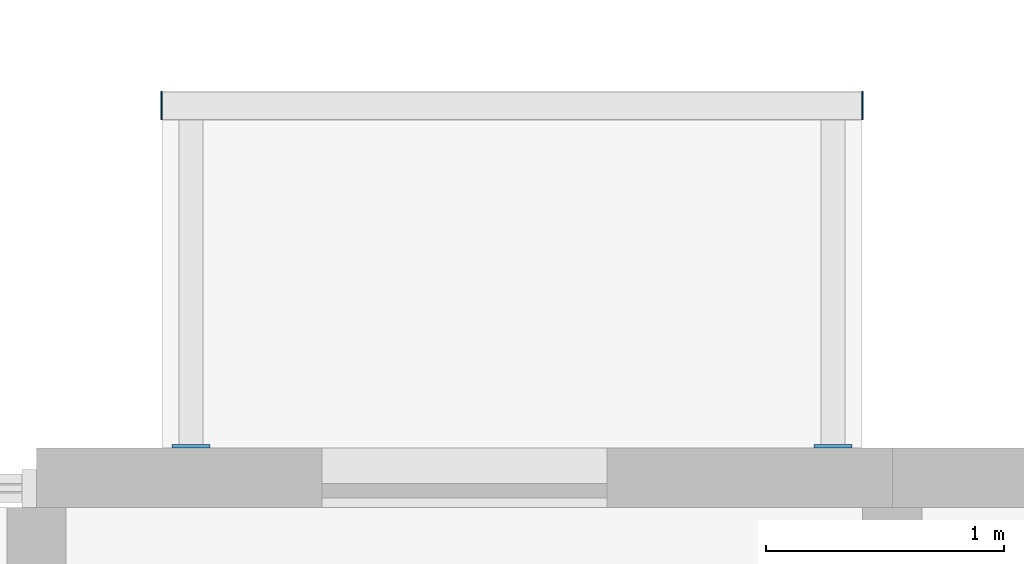
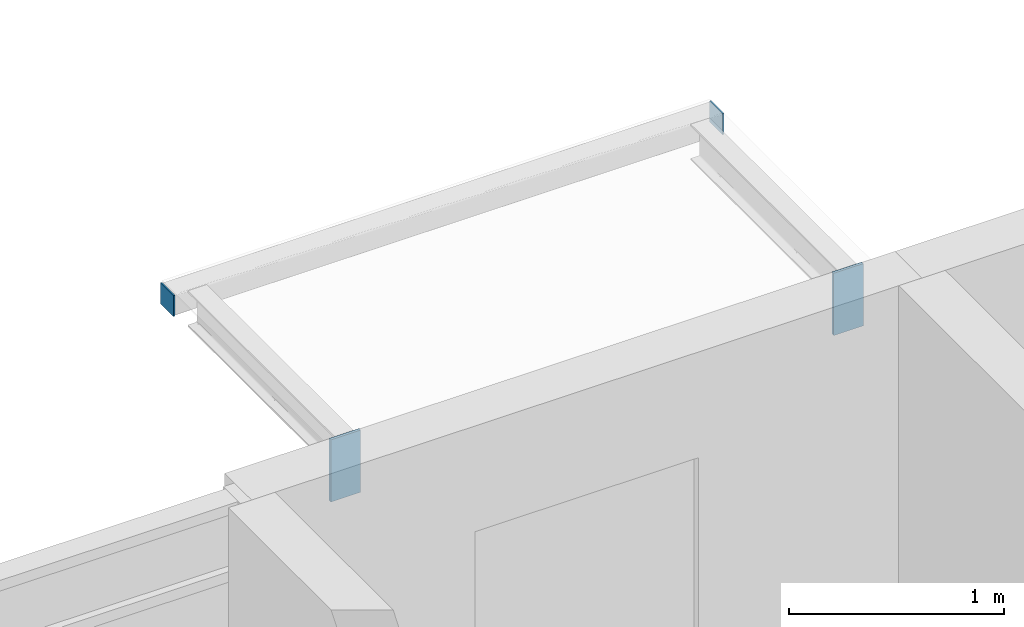
# One storey, part 66 of 100: 4 discrete accessories.
"""IFC4 building model written with IfcOpenShell, lengths in metres."""

from ifc_helpers import new_model, si_unit, direction, frame, origin, origin_2d, place, context, subcontext, project, spatial, rectangle, extrude, material, layer, layer_set, type_object, element, save


model = new_model("IFC4")

# Units and contexts
model_context = context("Model", 3, precision=1e-05, world=origin(), true_north=direction((0.0, 1.0)))
body_context = subcontext(model_context, "Body", "Model", "MODEL_VIEW")
ifc_project = project(units=[si_unit("LENGTHUNIT", "METRE"), si_unit("AREAUNIT", "SQUARE_METRE"), si_unit("VOLUMEUNIT", "CUBIC_METRE"), si_unit("PLANEANGLEUNIT", "RADIAN"), si_unit("MASSUNIT", "GRAM", prefix="KILO")], contexts=[model_context])

# Site, building, storey
site_placement = place(None, origin())
site = spatial("IfcSite", under=ifc_project, at=site_placement, CompositionType="ELEMENT")
building_placement = place(site_placement, origin())
building = spatial("IfcBuilding", under=site, at=building_placement, Name="Ridgestep Commons", CompositionType="ELEMENT")
storey_placement = place(building_placement, frame((0.0, 0.0, 9.0)))
storey = spatial("IfcBuildingStorey", under=building, at=storey_placement, Name="L03", CompositionType="ELEMENT", Elevation=9.0)

# Discrete accessories
ifc_material_1 = material(Name="Weathering steel S355J2W", Category="steel")
ifc_layer_1 = layer(ifc_material_1, 0.014892578125)
ifc_layer_set_1 = layer_set([ifc_layer_1], Name="Tray bracket plate 15")
discrete_accessory_type_1 = type_object("IfcDiscreteAccessoryType", Name="Tray bracket plate 15", PredefinedType="BRACKET", material=ifc_layer_set_1)
for number, where, z_axis, x_axis, name in (
    (1, (102.64990234375, 23.007568359375, 2.63671875), (0.0, 0.0, 1.0), (1.0, 0.0, 0.0), "Tray bracket A6T3-04.1"),
    (2, (105.35009765625, 23.007568359375, 2.63671875), (0.0, 0.0, 1.0), (1.0, 0.0, 0.0), "Tray bracket A6T3-04.2"),
):
    element("IfcDiscreteAccessory", number, at=place(storey_placement, frame(where, z_axis=z_axis, x_axis=x_axis)), inside=storey, type_object=discrete_accessory_type_1, Name=name, PredefinedType="BRACKET", context=body_context, shape_type="SweptSolid", body=[
        extrude(rectangle(XDim=0.159912109375, YDim=0.014892578125, at=origin_2d()), origin(), (0.0, 0.0, 1.0), 0.353271484375),
    ])
ifc_material_2 = material(Name="Weathering steel S355J2W", Category="steel")
ifc_layer_2 = layer(ifc_material_2, 0.008056640625)
ifc_layer_set_2 = layer_set([ifc_layer_2], Name="Tray edge member end plate 120 x 120 x 8")
discrete_accessory_type_2 = type_object("IfcDiscreteAccessoryType", Name="Tray edge member end plate 120 x 120 x 8", PredefinedType="BRACKET", material=ifc_layer_set_2)
for number, where, z_axis, x_axis, name in (
    (3, (102.52587890625, 24.43994140625, 2.869873046875), (0.0, 0.0, 1.0), (1.0, 0.0, 0.0), "Tray edge member end plate A6T3-04 west"),
    (4, (105.47412109375, 24.43994140625, 2.869873046875), (0.0, 0.0, 1.0), (1.0, 0.0, 0.0), "Tray edge member end plate A6T3-04 east"),
):
    element("IfcDiscreteAccessory", number, at=place(storey_placement, frame(where, z_axis=z_axis, x_axis=x_axis)), inside=storey, type_object=discrete_accessory_type_2, Name=name, PredefinedType="BRACKET", context=body_context, shape_type="SweptSolid", body=[
        extrude(rectangle(XDim=0.008056640625, YDim=0.1201171875, at=origin_2d()), origin(), (0.0, 0.0, 1.0), 0.1201171875),
    ])

save(model, "model.ifc")
